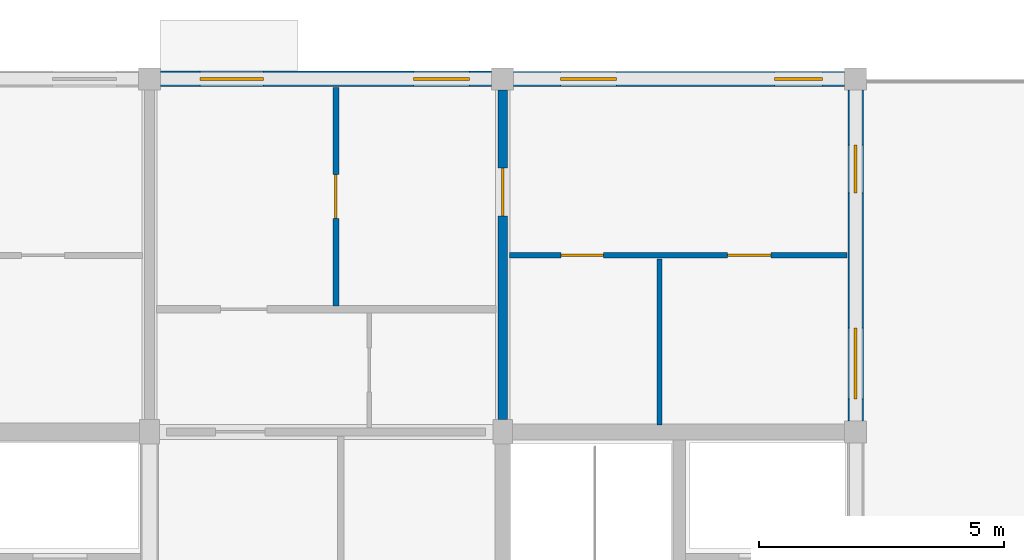
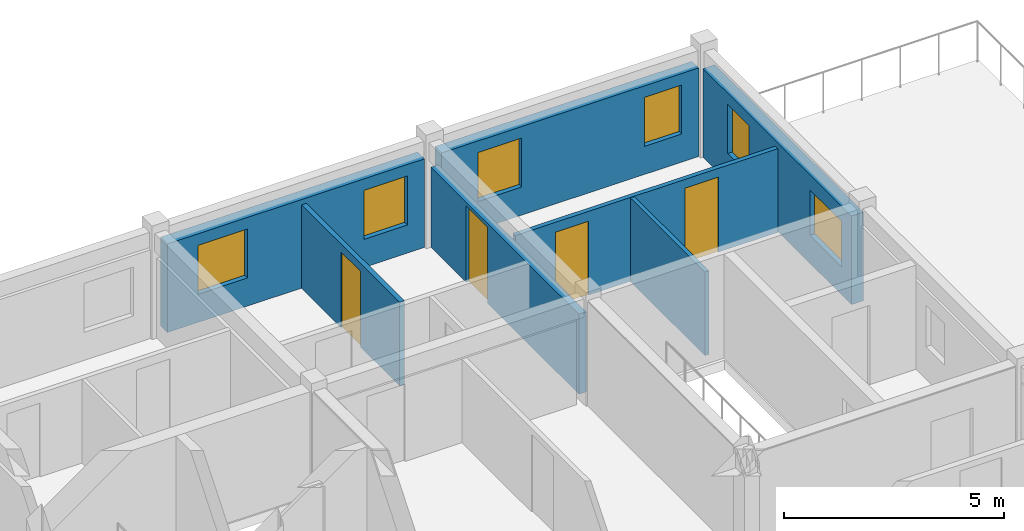
# One storey, part 20 of 23: 7 walls, 6 windows, 4 doors, 10 openings.
"""IFC4 building model written with IfcOpenShell, lengths in metres."""

from ifc_helpers import new_model, si_unit, direction, frame, frame_2d, origin, place, context, subcontext, project, spatial, rectangle, extrude, material, layer, layer_set, type_object, element, fill, save


model = new_model("IFC4")

# Units and contexts
model_context = context("Model", 3, precision=1e-05, world=origin(), true_north=direction((0.0, 1.0)))
body_context = subcontext(model_context, "Body", "Model", "MODEL_VIEW")
ifc_project = project(units=[si_unit("LENGTHUNIT", "METRE"), si_unit("AREAUNIT", "SQUARE_METRE"), si_unit("VOLUMEUNIT", "CUBIC_METRE"), si_unit("PLANEANGLEUNIT", "RADIAN"), si_unit("MASSUNIT", "GRAM", prefix="KILO"), si_unit("THERMODYNAMICTEMPERATUREUNIT", "KELVIN"), si_unit("POWERUNIT", "WATT")], contexts=[model_context])

# Site, building, storey
site_placement = place(None, origin())
site = spatial("IfcSite", under=ifc_project, at=site_placement, CompositionType="ELEMENT")
building_placement = place(site_placement, origin())
building = spatial("IfcBuilding", under=site, at=building_placement, Name="Tavuni Mirador Residences", CompositionType="ELEMENT")
storey_placement = place(building_placement, frame((0.0, 0.0, 42.300048828125)))
storey = spatial("IfcBuildingStorey", under=building, at=storey_placement, Name="L13", CompositionType="ELEMENT", Elevation=42.300048828125)

# Wall, openings, windows
ifc_material_1 = material(Name="Sgraffito lime-rendered precast concrete C40/50", Category="concrete")
ifc_layer_1 = layer(ifc_material_1, 0.304931640625, Name="Sgraffito lime-rendered precast concrete C40/50", Category="concrete")
ifc_layer_set_1 = layer_set([ifc_layer_1], Name="Sgraffito lime-rendered precast concrete C40/50")
wall_type_1 = type_object("IfcWallType", Name="WT-EXT-PC305", PredefinedType="SOLIDWALL", material=ifc_layer_set_1)
wall_1_placement = place(storey_placement, frame((46.574951171875, 172.800048828125, 0.0), z_axis=(0.0, 0.0, 1.0), x_axis=(-1.0, 0.0, 0.0)))
wall_1 = element("IfcWall", 1, at=wall_1_placement, inside=storey, type_object=wall_type_1, Name="EW-BLK-C-L13-N03", PredefinedType="SOLIDWALL", context=body_context, shape_type="SweptSolid", body=[
    extrude(rectangle(XDim=6.75, YDim=0.304931640625, at=frame_2d((3.375, 0.0))), origin(), (0.0, 0.0, 1.0), 2.4599609375),
])
opening_1_placement = place(wall_1_placement, frame((0.449951171875, 0.0, 0.780029296875)))
opening_1 = element("IfcOpeningElement", 2, at=opening_1_placement, cuts=wall_1, Name="Opening WN-18", PredefinedType="OPENING", context=body_context, shape_type="SweptSolid", body=[
    extrude(rectangle(XDim=0.97998046875, YDim=1.360107421875, at=frame_2d((0.489990234375, 0.68017578125))), frame((0.0, 0.16259765625, 0.0), z_axis=(0.0, -1.0, 0.0), x_axis=(1.0, 0.0, 0.0)), (0.0, 0.0, 1.0), 0.324951171875),
])
opening_2_placement = place(wall_1_placement, frame((4.64990234375, 0.0, 0.780029296875)))
opening_2 = element("IfcOpeningElement", 3, at=opening_2_placement, cuts=wall_1, Name="Opening WN-20", PredefinedType="OPENING", context=body_context, shape_type="SweptSolid", body=[
    extrude(rectangle(XDim=1.139892578125, YDim=1.360107421875, at=frame_2d((0.56982421875, 0.68017578125))), frame((0.0, 0.16259765625, 0.0), z_axis=(0.0, -1.0, 0.0), x_axis=(1.0, 0.0, 0.0)), (0.0, 0.0, 1.0), 0.324951171875),
])
ifc_material_2 = material(Name="Laminated solar-control glass", Category="glass")
window_type_1 = type_object("IfcWindowType", Name="WNT-18", PartitioningType="SINGLE_PANEL", PredefinedType="WINDOW", material=ifc_material_2)
window_1_placement = place(opening_1_placement, origin())
window_1 = element("IfcWindow", 4, at=window_1_placement, inside=storey, type_object=window_type_1, Name="WIN-1384", OverallHeight=1.360107421875, OverallWidth=0.97998046875, PartitioningType="SINGLE_PANEL", PredefinedType="WINDOW", context=body_context, shape_type="SweptSolid", body=[
    extrude(rectangle(XDim=0.97998046875, YDim=1.360107421875, at=frame_2d((0.489990234375, 0.68017578125))), frame((0.0, 0.030029296875, 0.0), z_axis=(0.0, -1.0, 0.0), x_axis=(1.0, 0.0, 0.0)), (0.0, 0.0, 1.0), 0.06005859375),
])
fill(opening_1, window_1)
window_type_2 = type_object("IfcWindowType", Name="WNT-20", PartitioningType="SINGLE_PANEL", PredefinedType="WINDOW", material=ifc_material_2)
window_2_placement = place(opening_2_placement, origin())
window_2 = element("IfcWindow", 5, at=window_2_placement, inside=storey, type_object=window_type_2, Name="WIN-1385", OverallHeight=1.360107421875, OverallWidth=1.139892578125, PartitioningType="SINGLE_PANEL", PredefinedType="WINDOW", context=body_context, shape_type="SweptSolid", body=[
    extrude(rectangle(XDim=1.139892578125, YDim=1.360107421875, at=frame_2d((0.56982421875, 0.68017578125))), frame((0.0, 0.030029296875, 0.0), z_axis=(0.0, -1.0, 0.0), x_axis=(1.0, 0.0, 0.0)), (0.0, 0.0, 1.0), 0.06005859375),
])
fill(opening_2, window_2)

ifc_layer_2 = layer(ifc_material_1, 0.31494140625, Name="Sgraffito lime-rendered precast concrete C40/50", Category="concrete")
ifc_layer_set_2 = layer_set([ifc_layer_2], Name="Sgraffito lime-rendered precast concrete C40/50")
wall_type_2 = type_object("IfcWallType", Name="WT-EXT-PC315", PredefinedType="SOLIDWALL", material=ifc_layer_set_2)
wall_2_placement = place(storey_placement, frame((46.800048828125, 165.824951171875, 0.0), z_axis=(0.0, 0.0, 1.0), x_axis=(0.0, 1.0, 0.0)))
wall_2 = element("IfcWall", 6, at=wall_2_placement, inside=storey, type_object=wall_type_2, Name="EW-BLK-C-L13-E02", PredefinedType="SOLIDWALL", context=body_context, shape_type="SweptSolid", body=[
    extrude(rectangle(XDim=6.75, YDim=0.31494140625, at=frame_2d((3.375, 0.0))), origin(), (0.0, 0.0, 1.0), 2.4599609375),
])
opening_3_placement = place(wall_2_placement, frame((0.449951171875, 0.0, 0.780029296875)))
opening_3 = element("IfcOpeningElement", 7, at=opening_3_placement, cuts=wall_2, Name="Opening WN-16", PredefinedType="OPENING", context=body_context, shape_type="SweptSolid", body=[
    extrude(rectangle(XDim=1.43994140625, YDim=1.260009765625, at=frame_2d((0.719970703125, 0.6298828125))), frame((0.0, 0.16748046875, 0.0), z_axis=(0.0, -1.0, 0.0), x_axis=(1.0, 0.0, 0.0)), (0.0, 0.0, 1.0), 0.3349609375),
])
opening_4_placement = place(wall_2_placement, frame((4.64990234375, 0.0, 0.780029296875)))
opening_4 = element("IfcOpeningElement", 8, at=opening_4_placement, cuts=wall_2, Name="Opening WN-18", PredefinedType="OPENING", context=body_context, shape_type="SweptSolid", body=[
    extrude(rectangle(XDim=0.97998046875, YDim=1.360107421875, at=frame_2d((0.489990234375, 0.68017578125))), frame((0.0, 0.16748046875, 0.0), z_axis=(0.0, -1.0, 0.0), x_axis=(1.0, 0.0, 0.0)), (0.0, 0.0, 1.0), 0.3349609375),
])
window_type_3 = type_object("IfcWindowType", Name="WNT-16", PartitioningType="SINGLE_PANEL", PredefinedType="WINDOW", material=ifc_material_2)
window_3_placement = place(opening_3_placement, origin())
window_3 = element("IfcWindow", 9, at=window_3_placement, inside=storey, type_object=window_type_3, Name="WIN-1382", OverallHeight=1.260009765625, OverallWidth=1.43994140625, PartitioningType="SINGLE_PANEL", PredefinedType="WINDOW", context=body_context, shape_type="SweptSolid", body=[
    extrude(rectangle(XDim=1.43994140625, YDim=1.260009765625, at=frame_2d((0.719970703125, 0.6298828125))), frame((0.0, 0.030029296875, 0.0), z_axis=(0.0, -1.0, 0.0), x_axis=(1.0, 0.0, 0.0)), (0.0, 0.0, 1.0), 0.06005859375),
])
fill(opening_3, window_3)
window_4_placement = place(opening_4_placement, origin())
window_4 = element("IfcWindow", 10, at=window_4_placement, inside=storey, type_object=window_type_1, Name="WIN-1383", OverallHeight=1.360107421875, OverallWidth=0.97998046875, PartitioningType="SINGLE_PANEL", PredefinedType="WINDOW", context=body_context, shape_type="SweptSolid", body=[
    extrude(rectangle(XDim=0.97998046875, YDim=1.360107421875, at=frame_2d((0.489990234375, 0.68017578125))), frame((0.0, 0.030029296875, 0.0), z_axis=(0.0, -1.0, 0.0), x_axis=(1.0, 0.0, 0.0)), (0.0, 0.0, 1.0), 0.06005859375),
])
fill(opening_4, window_4)

wall_3_placement = place(storey_placement, frame((39.375, 172.800048828125, 0.0), z_axis=(0.0, 0.0, 1.0), x_axis=(-1.0, 0.0, 0.0)))
wall_3 = element("IfcWall", 11, at=wall_3_placement, inside=storey, type_object=wall_type_2, Name="EW-BLK-C-L13-N02", PredefinedType="SOLIDWALL", context=body_context, shape_type="SweptSolid", body=[
    extrude(rectangle(XDim=6.75, YDim=0.31494140625, at=frame_2d((3.375, 0.0))), origin(), (0.0, 0.0, 1.0), 2.4599609375),
])
opening_5_placement = place(wall_3_placement, frame((0.449951171875, 0.0, 0.780029296875)))
opening_5 = element("IfcOpeningElement", 12, at=opening_5_placement, cuts=wall_3, Name="Opening WN-20", PredefinedType="OPENING", context=body_context, shape_type="SweptSolid", body=[
    extrude(rectangle(XDim=1.139892578125, YDim=1.360107421875, at=frame_2d((0.56982421875, 0.68017578125))), frame((0.0, 0.16748046875, 0.0), z_axis=(0.0, -1.0, 0.0), x_axis=(1.0, 0.0, 0.0)), (0.0, 0.0, 1.0), 0.3349609375),
])
opening_6_placement = place(wall_3_placement, frame((4.64990234375, 0.0, 0.780029296875)))
opening_6 = element("IfcOpeningElement", 13, at=opening_6_placement, cuts=wall_3, Name="Opening WN-22", PredefinedType="OPENING", context=body_context, shape_type="SweptSolid", body=[
    extrude(rectangle(XDim=1.300048828125, YDim=1.360107421875, at=frame_2d((0.64990234375, 0.68017578125))), frame((0.0, 0.16748046875, 0.0), z_axis=(0.0, -1.0, 0.0), x_axis=(1.0, 0.0, 0.0)), (0.0, 0.0, 1.0), 0.3349609375),
])
window_5_placement = place(opening_5_placement, origin())
window_5 = element("IfcWindow", 14, at=window_5_placement, inside=storey, type_object=window_type_2, Name="WIN-1386", OverallHeight=1.360107421875, OverallWidth=1.139892578125, PartitioningType="SINGLE_PANEL", PredefinedType="WINDOW", context=body_context, shape_type="SweptSolid", body=[
    extrude(rectangle(XDim=1.139892578125, YDim=1.360107421875, at=frame_2d((0.56982421875, 0.68017578125))), frame((0.0, 0.030029296875, 0.0), z_axis=(0.0, -1.0, 0.0), x_axis=(1.0, 0.0, 0.0)), (0.0, 0.0, 1.0), 0.06005859375),
])
fill(opening_5, window_5)
window_type_4 = type_object("IfcWindowType", Name="WNT-22", PartitioningType="SINGLE_PANEL", PredefinedType="WINDOW", material=ifc_material_2)
window_6_placement = place(opening_6_placement, origin())
window_6 = element("IfcWindow", 15, at=window_6_placement, inside=storey, type_object=window_type_4, Name="WIN-1387", OverallHeight=1.360107421875, OverallWidth=1.300048828125, PartitioningType="SINGLE_PANEL", PredefinedType="WINDOW", context=body_context, shape_type="SweptSolid", body=[
    extrude(rectangle(XDim=1.300048828125, YDim=1.360107421875, at=frame_2d((0.64990234375, 0.68017578125))), frame((0.0, 0.030029296875, 0.0), z_axis=(0.0, -1.0, 0.0), x_axis=(1.0, 0.0, 0.0)), (0.0, 0.0, 1.0), 0.06005859375),
])
fill(opening_6, window_6)

# Wall
ifc_material_3 = material(Name="Acoustic gypsum and concrete block partition", Category="concrete")
ifc_layer_3 = layer(ifc_material_3, 0.10498046875, Name="Acoustic gypsum and concrete block partition", Category="concrete")
ifc_layer_set_3 = layer_set([ifc_layer_3], Name="Acoustic gypsum and concrete block partition")
wall_type_3 = type_object("IfcWallType", Name="WT-PART105", PredefinedType="PARTITIONING", material=ifc_layer_set_3)
wall_4_placement = place(storey_placement, frame((42.800048828125, 165.739990234375, 0.0), z_axis=(0.0, 0.0, 1.0), x_axis=(0.0, 1.0, 0.0)))
element("IfcWall", 16, at=wall_4_placement, inside=storey, type_object=wall_type_3, Name="PW-BLK-C-L13-NC03-V", PredefinedType="PARTITIONING", context=body_context, shape_type="SweptSolid", body=[
    extrude(rectangle(XDim=3.389892578125, YDim=0.10498046875, at=frame_2d((1.69482421875, 0.0))), origin(), (0.0, 0.0, 1.0), 2.324951171875),
])

# Wall, openings, doors
ifc_layer_4 = layer(ifc_material_3, 0.114990234375, Name="Acoustic gypsum and concrete block partition", Category="concrete")
ifc_layer_set_4 = layer_set([ifc_layer_4], Name="Acoustic gypsum and concrete block partition")
wall_type_4 = type_object("IfcWallType", Name="WT-PART115", PredefinedType="PARTITIONING", material=ifc_layer_set_4)
wall_5_placement = place(storey_placement, frame((39.739990234375, 169.199951171875, 0.0), z_axis=(0.0, 0.0, 1.0), x_axis=(1.0, 0.0, 0.0)))
wall_5 = element("IfcWall", 17, at=wall_5_placement, inside=storey, type_object=wall_type_4, Name="PW-BLK-C-L13-NC03-M", PredefinedType="PARTITIONING", context=body_context, shape_type="SweptSolid", body=[
    extrude(rectangle(XDim=6.885009765625, YDim=0.114990234375, at=frame_2d((3.4423828125, 0.0))), origin(), (0.0, 0.0, 1.0), 2.324951171875),
])
opening_7_placement = place(wall_5_placement, frame((1.050048828125, 0.0, 0.0)))
opening_7 = element("IfcOpeningElement", 18, at=opening_7_placement, cuts=wall_5, Name="Opening D-10", PredefinedType="OPENING", context=body_context, shape_type="SweptSolid", body=[
    extrude(rectangle(XDim=0.8701171875, YDim=2.050048828125, at=frame_2d((0.43505859375, 1.02490234375))), frame((0.0, 0.0673828125, 0.0), z_axis=(0.0, -1.0, 0.0), x_axis=(1.0, 0.0, 0.0)), (0.0, 0.0, 1.0), 0.135009765625),
])
opening_8_placement = place(wall_5_placement, frame((4.449951171875, 0.0, 0.0)))
opening_8 = element("IfcOpeningElement", 19, at=opening_8_placement, cuts=wall_5, Name="Opening D-08", PredefinedType="OPENING", context=body_context, shape_type="SweptSolid", body=[
    extrude(rectangle(XDim=0.8798828125, YDim=2.080078125, at=frame_2d((0.43994140625, 1.0400390625))), frame((0.0, 0.0673828125, 0.0), z_axis=(0.0, -1.0, 0.0), x_axis=(1.0, 0.0, 0.0)), (0.0, 0.0, 1.0), 0.135009765625),
])
ifc_material_4 = material(Name="Solid core iroko timber", Category="wood")
door_type_1 = type_object("IfcDoorType", Name="DT-BED880", OperationType="NOTDEFINED", PredefinedType="DOOR", material=ifc_material_4)
door_1_placement = place(opening_8_placement, origin())
door_1 = element("IfcDoor", 20, at=door_1_placement, inside=storey, type_object=door_type_1, Name="DR-4279", OperationType="SINGLE_SWING_RIGHT", OverallHeight=2.080078125, OverallWidth=0.8798828125, PredefinedType="DOOR", context=body_context, shape_type="SweptSolid", body=[
    extrude(rectangle(XDim=0.8798828125, YDim=2.080078125, at=frame_2d((0.43994140625, 1.0400390625))), frame((0.0, 0.02490234375, 0.0), z_axis=(0.0, -1.0, 0.0), x_axis=(1.0, 0.0, 0.0)), (0.0, 0.0, 1.0), 0.050048828125),
])
fill(opening_8, door_1)
door_type_2 = type_object("IfcDoorType", Name="DT-WC870", OperationType="NOTDEFINED", PredefinedType="DOOR", material=ifc_material_4)
door_2_placement = place(opening_7_placement, origin())
door_2 = element("IfcDoor", 21, at=door_2_placement, inside=storey, type_object=door_type_2, Name="DR-4278", OperationType="SINGLE_SWING_LEFT", OverallHeight=2.050048828125, OverallWidth=0.8701171875, PredefinedType="DOOR", context=body_context, shape_type="SweptSolid", body=[
    extrude(rectangle(XDim=0.8701171875, YDim=2.050048828125, at=frame_2d((0.43505859375, 1.02490234375))), frame((0.0, 0.02490234375, 0.0), z_axis=(0.0, -1.0, 0.0), x_axis=(1.0, 0.0, 0.0)), (0.0, 0.0, 1.0), 0.050048828125),
])
fill(opening_7, door_2)

# Wall, opening, door
ifc_layer_5 = layer(ifc_material_3, 0.125, Name="Acoustic gypsum and concrete block partition", Category="concrete")
ifc_layer_set_5 = layer_set([ifc_layer_5], Name="Acoustic gypsum and concrete block partition")
wall_type_5 = type_object("IfcWallType", Name="WT-PART125", PredefinedType="PARTITIONING", material=ifc_layer_set_5)
wall_6_placement = place(storey_placement, frame((36.199951171875, 168.169921875, 0.0), z_axis=(0.0, 0.0, 1.0), x_axis=(0.0, 1.0, 0.0)))
wall_6 = element("IfcWall", 22, at=wall_6_placement, inside=storey, type_object=wall_type_5, Name="PW-BLK-C-L13-N02-OUT", PredefinedType="PARTITIONING", context=body_context, shape_type="SweptSolid", body=[
    extrude(rectangle(XDim=4.455078125, YDim=0.125, at=frame_2d((2.2275390625, 0.0))), origin(), (0.0, 0.0, 1.0), 2.324951171875),
])
opening_9_placement = place(wall_6_placement, frame((1.777587890625, 0.0, 0.0)))
opening_9 = element("IfcOpeningElement", 23, at=opening_9_placement, cuts=wall_6, Name="Opening D-07", PredefinedType="OPENING", context=body_context, shape_type="SweptSolid", body=[
    extrude(rectangle(XDim=0.89990234375, YDim=2.10009765625, at=frame_2d((0.449951171875, 1.050048828125))), frame((0.0, 0.072509765625, 0.0), z_axis=(0.0, -1.0, 0.0), x_axis=(1.0, 0.0, 0.0)), (0.0, 0.0, 1.0), 0.14501953125),
])
door_type_3 = type_object("IfcDoorType", Name="DT-BED900", OperationType="NOTDEFINED", PredefinedType="DOOR", material=ifc_material_4)
door_3_placement = place(opening_9_placement, origin())
door_3 = element("IfcDoor", 24, at=door_3_placement, inside=storey, type_object=door_type_3, Name="DR-4274", OperationType="SINGLE_SWING_RIGHT", OverallHeight=2.10009765625, OverallWidth=0.89990234375, PredefinedType="DOOR", context=body_context, shape_type="SweptSolid", body=[
    extrude(rectangle(XDim=0.89990234375, YDim=2.10009765625, at=frame_2d((0.449951171875, 1.050048828125))), frame((0.0, 0.02490234375, 0.0), z_axis=(0.0, -1.0, 0.0), x_axis=(1.0, 0.0, 0.0)), (0.0, 0.0, 1.0), 0.050048828125),
])
fill(opening_9, door_3)

ifc_material_5 = material(Name="Precast concrete C40/50", Category="concrete")
ifc_layer_6 = layer(ifc_material_5, 0.195068359375, Name="Precast concrete C40/50", Category="concrete")
ifc_layer_set_6 = layer_set([ifc_layer_6], Name="Precast concrete C40/50")
wall_type_6 = type_object("IfcWallType", Name="WT-XW195", PredefinedType="SOLIDWALL", material=ifc_layer_set_6)
wall_7_placement = place(storey_placement, frame((39.60009765625, 165.85009765625, 0.0), z_axis=(0.0, 0.0, 1.0), x_axis=(0.0, 1.0, 0.0)))
wall_7 = element("IfcWall", 25, at=wall_7_placement, inside=storey, type_object=wall_type_6, Name="XW-BLK-C-L13-N-03", PredefinedType="SOLIDWALL", context=body_context, shape_type="SweptSolid", body=[
    extrude(rectangle(XDim=6.724853515625, YDim=0.195068359375, at=frame_2d((3.3623046875, 0.0))), origin(), (0.0, 0.0, 1.0), 2.219970703125),
])
opening_10_placement = place(wall_7_placement, frame((4.14990234375, 0.0, 0.0)))
opening_10 = element("IfcOpeningElement", 26, at=opening_10_placement, cuts=wall_7, Name="Opening D-04", PredefinedType="OPENING", context=body_context, shape_type="SweptSolid", body=[
    extrude(rectangle(XDim=0.97998046875, YDim=2.1201171875, at=frame_2d((0.489990234375, 1.06005859375))), frame((0.0, 0.107421875, 0.0), z_axis=(0.0, -1.0, 0.0), x_axis=(1.0, 0.0, 0.0)), (0.0, 0.0, 1.0), 0.215087890625),
])
door_type_4 = type_object("IfcDoorType", Name="DT-FD60-980", OperationType="NOTDEFINED", PredefinedType="DOOR", material=ifc_material_4)
door_4_placement = place(opening_10_placement, origin())
door_4 = element("IfcDoor", 27, at=door_4_placement, inside=storey, type_object=door_type_4, Name="DR-4755", OperationType="SINGLE_SWING_RIGHT", OverallHeight=2.1201171875, OverallWidth=0.97998046875, PredefinedType="DOOR", context=body_context, shape_type="SweptSolid", body=[
    extrude(rectangle(XDim=0.97998046875, YDim=2.1201171875, at=frame_2d((0.489990234375, 1.06005859375))), frame((0.0, 0.02490234375, 0.0), z_axis=(0.0, -1.0, 0.0), x_axis=(1.0, 0.0, 0.0)), (0.0, 0.0, 1.0), 0.050048828125),
])
fill(opening_10, door_4)

save(model, "model.ifc")
